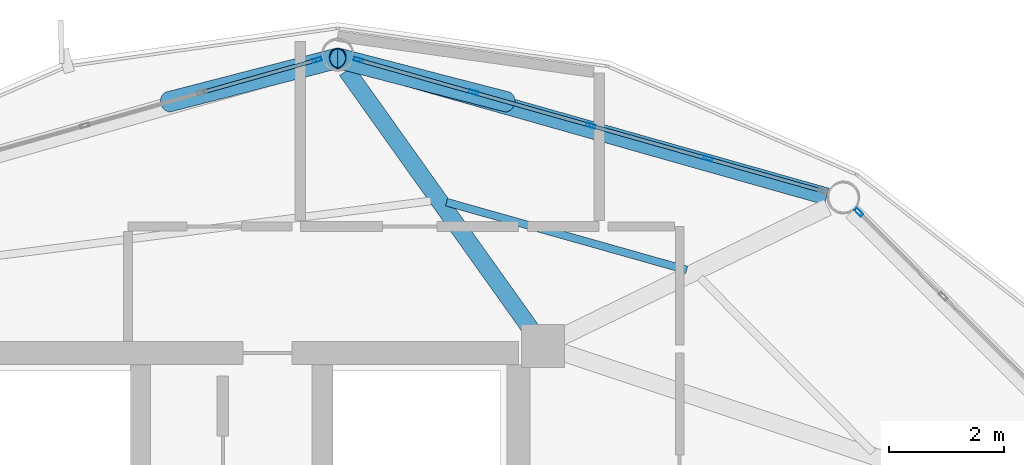
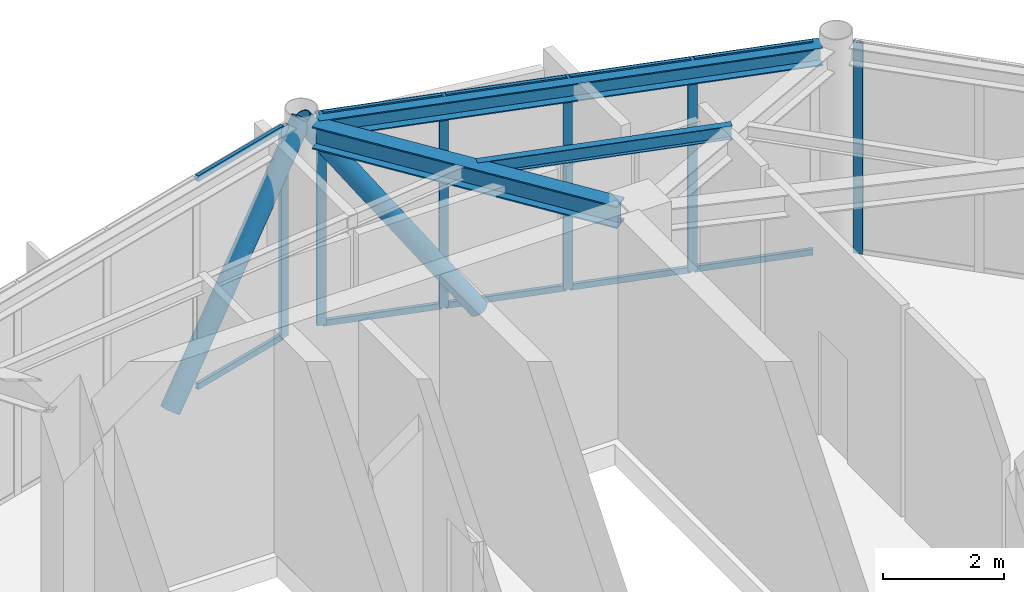
# One storey, part 18 of 26: 18 members, 3 beams, 3 elements without a shape of their own.
"""IFC4 building model written with IfcOpenShell, lengths in metres."""

from ifc_helpers import new_model, si_unit, direction, frame, origin, origin_2d, place, context, subcontext, project, spatial, hollow_rectangle, hollow_circle, i_section, extrude, material, layer, layer_set, material_profile, profile_set, type_object, element, aggregate, save


model = new_model("IFC4")

# Units and contexts
model_context = context("Model", 3, precision=1e-05, world=origin(), true_north=direction((0.0, 1.0)))
body_context = subcontext(model_context, "Body", "Model", "MODEL_VIEW")
ifc_project = project(units=[si_unit("LENGTHUNIT", "METRE"), si_unit("AREAUNIT", "SQUARE_METRE"), si_unit("VOLUMEUNIT", "CUBIC_METRE"), si_unit("PLANEANGLEUNIT", "RADIAN"), si_unit("MASSUNIT", "GRAM", prefix="KILO")], contexts=[model_context])

# Site, building, storey
site_placement = place(None, origin())
site = spatial("IfcSite", under=ifc_project, at=site_placement, CompositionType="ELEMENT")
building_placement = place(site_placement, origin())
building = spatial("IfcBuilding", under=site, at=building_placement, Name="Varnakorn Sky Granary", CompositionType="ELEMENT")
storey_placement = place(building_placement, frame((0.0, 0.0, 289.5)))
storey = spatial("IfcBuildingStorey", under=building, at=storey_placement, Name="L74", CompositionType="ELEMENT", Elevation=289.5)

# Beams
ifc_material_1 = material(Name="Steel S355JR", Category="steel")
ifc_material_profile_1 = material_profile(ifc_material_1, i_section(OverallWidth=0.300048828125, OverallDepth=0.449951171875, WebThickness=0.013916015625, FlangeThickness=0.02587890625, at=origin_2d()), Name="HE 450 B")
ifc_profile_set_1 = profile_set([ifc_material_profile_1], Name="Steel S355JR")
beam_type_1 = type_object("IfcBeamType", Name="BM-RAD-Z5", PredefinedType="BEAM", material=ifc_profile_set_1)
beam_1_placement = place(storey_placement, frame((8.214111328125, 12.9091796875, 4.034912109375), z_axis=(-0.580432129102, 0.814308629149, 0.0), x_axis=(-0.814308629149, -0.580432129102, 0.0)))
element("IfcBeam", 1, at=beam_1_placement, inside=storey, type_object=beam_type_1, Name="Radial Floor Girder RG04 L74", PredefinedType="BEAM", context=body_context, shape_type="SweptSolid", body=[
    extrude(i_section(OverallWidth=0.300048828125, OverallDepth=0.449951171875, WebThickness=0.013916015625, FlangeThickness=0.02587890625, at=origin_2d()), origin(), (0.0, 0.0, 1.0), 5.531494140625),
])
ifc_material_profile_2 = material_profile(ifc_material_1, i_section(OverallWidth=0.135009765625, OverallDepth=0.27001953125, WebThickness=0.006591796875, FlangeThickness=0.01025390625, at=origin_2d()), Name="IPE 270")
ifc_profile_set_2 = profile_set([ifc_material_profile_2], Name="Steel S355JR")
beam_type_2 = type_object("IfcBeamType", Name="BM-SEC-Z5", PredefinedType="BEAM", material=ifc_profile_set_2)
beam_2_placement = place(storey_placement, frame((10.923095703125, 13.943115234375, 4.125), z_axis=(-0.962372060934, 0.271735195243, 0.0), x_axis=(-0.271735195243, -0.962372060934, 0.0)))
element("IfcBeam", 2, at=beam_2_placement, inside=storey, type_object=beam_type_2, Name="Secondary Floor Chord Beam MSB03 L74", PredefinedType="BEAM", context=body_context, shape_type="SweptSolid", body=[
    extrude(i_section(OverallWidth=0.135009765625, OverallDepth=0.27001953125, WebThickness=0.006591796875, FlangeThickness=0.01025390625, at=origin_2d()), origin(), (0.0, 0.0, 1.0), 4.343017578125),
])
ifc_material_profile_3 = material_profile(ifc_material_1, i_section(OverallWidth=0.300048828125, OverallDepth=0.360107421875, WebThickness=0.012451171875, FlangeThickness=0.0224609375, at=origin_2d()), Name="HE 360 B")
ifc_profile_set_3 = profile_set([ifc_material_profile_3], Name="Steel S355JR")
beam_type_3 = type_object("IfcBeamType", Name="BM-SPD-Z5", PredefinedType="SPANDREL", material=ifc_profile_set_3)
beam_3_placement = place(storey_placement, frame((13.360107421875, 15.22216796875, 4.080078125), z_axis=(-0.962260332488, 0.272130579908, 0.0), x_axis=(-0.272130579908, -0.962260332488, 0.0)))
element("IfcBeam", 3, at=beam_3_placement, inside=storey, type_object=beam_type_3, Name="Perimeter Spandrel Ring Beam RB03 L74", PredefinedType="SPANDREL", context=body_context, shape_type="SweptSolid", body=[
    extrude(i_section(OverallWidth=0.300048828125, OverallDepth=0.360107421875, WebThickness=0.012451171875, FlangeThickness=0.0224609375, at=origin_2d()), origin(), (0.0, 0.0, 1.0), 8.579345703125),
])

# Curtain wall, member
ifc_material_2 = material(Name="Anodised Bronze Aluminium Alloy 6063-T6", Category="aluminium")
ifc_layer = layer(ifc_material_2, 0.159912109375, Name="Anodised Bronze Aluminium Alloy 6063-T6")
ifc_layer_set = layer_set([ifc_layer], Name="Anodised Bronze Aluminium Alloy 6063-T6")
curtain_wall_type = type_object("IfcCurtainWallType", Name="CW-OFF-1", PredefinedType="USERDEFINED", material=ifc_layer_set)
curtain_wall_1_placement = place(storey_placement, origin())
curtain_wall_1 = element("IfcCurtainWall", 4, at=curtain_wall_1_placement, inside=storey, type_object=curtain_wall_type, Name="Unitised Curtain Wall CW6 CW-L74-B02", ObjectType="CURTAIN WALL", PredefinedType="USERDEFINED")
ifc_material_profile_4 = material_profile(ifc_material_2, hollow_rectangle(XDim=0.06494140625, YDim=0.159912109375, WallThickness=0.00341796875, at=origin_2d()), Name="ALU MULL 65x160")
ifc_profile_set_4 = profile_set([ifc_material_profile_4], Name="Anodised Bronze Aluminium Alloy 6063-T6")
member_type_1 = type_object("IfcMemberType", Name="CW-OFF-1-MULL", PredefinedType="MULLION", material=ifc_profile_set_4)
member_1_placement = place(storey_placement, frame((13.9208984375, 14.948974609375, 0.0), z_axis=(0.0, 0.0, 1.0), x_axis=(0.706103251086, 0.708108889088, 0.0)))
member_1 = element("IfcMember", 5, at=member_1_placement, type_object=member_type_1, Name="CW6 mullion 1", PredefinedType="MULLION", context=body_context, shape_type="SweptSolid", body=[
    extrude(hollow_rectangle(XDim=0.06494140625, YDim=0.159912109375, WallThickness=0.00341796875, at=origin_2d()), origin(), (0.0, 0.0, 1.0), 4.260009765625),
])
aggregate(curtain_wall_1, [member_1])

# Curtain wall, members
curtain_wall_2_placement = place(storey_placement, origin())
curtain_wall_2 = element("IfcCurtainWall", 6, at=curtain_wall_2_placement, inside=storey, type_object=curtain_wall_type, Name="Unitised Curtain Wall CW6 CW-L74-B03", ObjectType="CURTAIN WALL", PredefinedType="USERDEFINED")
member_2_placement = place(storey_placement, frame((5.2080078125, 17.598876953125, 0.0), z_axis=(0.0, 0.0, 1.0), x_axis=(0.271878363446, 0.962331624488, 0.0)))
member_2 = element("IfcMember", 7, at=member_2_placement, type_object=member_type_1, Name="CW6 mullion 1", PredefinedType="MULLION", context=body_context, shape_type="SweptSolid", body=[
    extrude(hollow_rectangle(XDim=0.06494140625, YDim=0.159912109375, WallThickness=0.00341796875, at=origin_2d()), origin(), (0.0, 0.0, 1.0), 4.260009765625),
])
member_3_placement = place(storey_placement, frame((7.21533203125, 17.03173828125, 0.0), z_axis=(0.0, 0.0, 1.0), x_axis=(0.271878363446, 0.962331624488, 0.0)))
member_3 = element("IfcMember", 8, at=member_3_placement, type_object=member_type_1, Name="CW6 mullion 2", PredefinedType="MULLION", context=body_context, shape_type="SweptSolid", body=[
    extrude(hollow_rectangle(XDim=0.06494140625, YDim=0.159912109375, WallThickness=0.00341796875, at=origin_2d()), origin(), (0.0, 0.0, 1.0), 4.260009765625),
])
member_4_placement = place(storey_placement, frame((9.253662109375, 16.455810546875, 0.0), z_axis=(0.0, 0.0, 1.0), x_axis=(0.271878363446, 0.962331624488, 0.0)))
member_4 = element("IfcMember", 9, at=member_4_placement, type_object=member_type_1, Name="CW6 mullion 3", PredefinedType="MULLION", context=body_context, shape_type="SweptSolid", body=[
    extrude(hollow_rectangle(XDim=0.06494140625, YDim=0.159912109375, WallThickness=0.00341796875, at=origin_2d()), origin(), (0.0, 0.0, 1.0), 4.260009765625),
])
member_5_placement = place(storey_placement, frame((11.292236328125, 15.8798828125, 0.0), z_axis=(0.0, 0.0, 1.0), x_axis=(0.271878363446, 0.962331624488, 0.0)))
member_5 = element("IfcMember", 10, at=member_5_placement, type_object=member_type_1, Name="CW6 mullion 4", PredefinedType="MULLION", context=body_context, shape_type="SweptSolid", body=[
    extrude(hollow_rectangle(XDim=0.06494140625, YDim=0.159912109375, WallThickness=0.00341796875, at=origin_2d()), origin(), (0.0, 0.0, 1.0), 4.260009765625),
])

# Curtain wall, member
curtain_wall_3_placement = place(storey_placement, origin())
curtain_wall_3 = element("IfcCurtainWall", 11, at=curtain_wall_3_placement, inside=storey, type_object=curtain_wall_type, Name="Unitised Curtain Wall CW6 CW-L74-B04", ObjectType="CURTAIN WALL", PredefinedType="USERDEFINED")
member_6_placement = place(storey_placement, frame((4.491943359375, 17.598876953125, 0.0), z_axis=(0.0, 0.0, 1.0), x_axis=(-0.271878363446, 0.962331624488, 0.0)))
member_6 = element("IfcMember", 12, at=member_6_placement, type_object=member_type_1, Name="CW6 mullion 5", PredefinedType="MULLION", context=body_context, shape_type="SweptSolid", body=[
    extrude(hollow_rectangle(XDim=0.06494140625, YDim=0.159912109375, WallThickness=0.00341796875, at=origin_2d()), origin(), (0.0, 0.0, 1.0), 4.260009765625),
])

# Member
ifc_material_profile_5 = material_profile(ifc_material_2, hollow_rectangle(XDim=0.06494140625, YDim=0.1201171875, WallThickness=0.00341796875, at=origin_2d()), Name="ALU TRAN 65x120")
ifc_profile_set_5 = profile_set([ifc_material_profile_5], Name="Anodised Bronze Aluminium Alloy 6063-T6")
member_type_2 = type_object("IfcMemberType", Name="CW-OFF-1-TRAN", PredefinedType="USERDEFINED", material=ifc_profile_set_5)
member_7_placement = place(storey_placement, frame((5.2392578125, 17.590087890625, 0.032470703125), z_axis=(0.962308715742, -0.271959437431, 0.0), x_axis=(0.271959437431, 0.962308715742, 0.0)))
member_7 = element("IfcMember", 13, at=member_7_placement, type_object=member_type_2, Name="CW6 transom 1.1", ObjectType="TRANSOM", PredefinedType="USERDEFINED", context=body_context, shape_type="SweptSolid", body=[
    extrude(hollow_rectangle(XDim=0.06494140625, YDim=0.1201171875, WallThickness=0.00341796875, at=origin_2d()), origin(), (0.0, 0.0, 1.0), 2.020751953125),
])

member_8_placement = place(storey_placement, frame((5.2392578125, 17.590087890625, 4.2275390625), z_axis=(0.962308715742, -0.271959437431, 0.0), x_axis=(0.271959437431, 0.962308715742, 0.0)))
member_8 = element("IfcMember", 14, at=member_8_placement, type_object=member_type_2, Name="CW6 transom 1.2", ObjectType="TRANSOM", PredefinedType="USERDEFINED", context=body_context, shape_type="SweptSolid", body=[
    extrude(hollow_rectangle(XDim=0.06494140625, YDim=0.1201171875, WallThickness=0.00341796875, at=origin_2d()), origin(), (0.0, 0.0, 1.0), 2.020751953125),
])

member_9_placement = place(storey_placement, frame((7.24658203125, 17.02294921875, 0.032470703125), z_axis=(0.962314138425, -0.271940248928, 0.0), x_axis=(0.271940248928, 0.962314138425, 0.0)))
member_9 = element("IfcMember", 15, at=member_9_placement, type_object=member_type_2, Name="CW6 transom 2.1", ObjectType="TRANSOM", PredefinedType="USERDEFINED", context=body_context, shape_type="SweptSolid", body=[
    extrude(hollow_rectangle(XDim=0.06494140625, YDim=0.1201171875, WallThickness=0.00341796875, at=origin_2d()), origin(), (0.0, 0.0, 1.0), 2.05322265625),
])

member_10_placement = place(storey_placement, frame((7.24658203125, 17.02294921875, 4.2275390625), z_axis=(0.962314138425, -0.271940248928, 0.0), x_axis=(0.271940248928, 0.962314138425, 0.0)))
member_10 = element("IfcMember", 16, at=member_10_placement, type_object=member_type_2, Name="CW6 transom 2.2", ObjectType="TRANSOM", PredefinedType="USERDEFINED", context=body_context, shape_type="SweptSolid", body=[
    extrude(hollow_rectangle(XDim=0.06494140625, YDim=0.1201171875, WallThickness=0.00341796875, at=origin_2d()), origin(), (0.0, 0.0, 1.0), 2.05322265625),
])

member_11_placement = place(storey_placement, frame((9.284912109375, 16.447021484375, 0.032470703125), z_axis=(0.962322930265, -0.271909135349, 0.0), x_axis=(0.271909135349, 0.962322930265, 0.0)))
member_11 = element("IfcMember", 17, at=member_11_placement, type_object=member_type_2, Name="CW6 transom 3.1", ObjectType="TRANSOM", PredefinedType="USERDEFINED", context=body_context, shape_type="SweptSolid", body=[
    extrude(hollow_rectangle(XDim=0.06494140625, YDim=0.1201171875, WallThickness=0.00341796875, at=origin_2d()), origin(), (0.0, 0.0, 1.0), 2.053466796875),
])

member_12_placement = place(storey_placement, frame((9.284912109375, 16.447021484375, 4.2275390625), z_axis=(0.962322930265, -0.271909135349, 0.0), x_axis=(0.271909135349, 0.962322930265, 0.0)))
member_12 = element("IfcMember", 18, at=member_12_placement, type_object=member_type_2, Name="CW6 transom 3.2", ObjectType="TRANSOM", PredefinedType="USERDEFINED", context=body_context, shape_type="SweptSolid", body=[
    extrude(hollow_rectangle(XDim=0.06494140625, YDim=0.1201171875, WallThickness=0.00341796875, at=origin_2d()), origin(), (0.0, 0.0, 1.0), 2.053466796875),
])

member_13_placement = place(storey_placement, frame((11.323486328125, 15.87109375, 0.032470703125), z_axis=(0.962349256464, -0.271815946152, 0.0), x_axis=(0.271815946152, 0.962349256464, 0.0)))
member_13 = element("IfcMember", 19, at=member_13_placement, type_object=member_type_2, Name="CW6 transom 4.1", ObjectType="TRANSOM", PredefinedType="USERDEFINED", context=body_context, shape_type="SweptSolid", body=[
    extrude(hollow_rectangle(XDim=0.06494140625, YDim=0.1201171875, WallThickness=0.00341796875, at=origin_2d()), origin(), (0.0, 0.0, 1.0), 2.02099609375),
])

member_14_placement = place(storey_placement, frame((11.323486328125, 15.87109375, 4.2275390625), z_axis=(0.962349256464, -0.271815946152, 0.0), x_axis=(0.271815946152, 0.962349256464, 0.0)))
member_14 = element("IfcMember", 20, at=member_14_placement, type_object=member_type_2, Name="CW6 transom 4.2", ObjectType="TRANSOM", PredefinedType="USERDEFINED", context=body_context, shape_type="SweptSolid", body=[
    extrude(hollow_rectangle(XDim=0.06494140625, YDim=0.1201171875, WallThickness=0.00341796875, at=origin_2d()), origin(), (0.0, 0.0, 1.0), 2.02099609375),
])

aggregate(curtain_wall_2, [member_2, member_3, member_4, member_5, member_7, member_8, member_9, member_10, member_11, member_12, member_13, member_14])

member_15_placement = place(storey_placement, frame((2.51611328125, 17.04052734375, 0.032470703125), z_axis=(0.962308715742, 0.271959437431, 0.0), x_axis=(-0.271959437431, 0.962308715742, 0.0)))
member_15 = element("IfcMember", 21, at=member_15_placement, type_object=member_type_2, Name="CW6 transom 4.1", ObjectType="TRANSOM", PredefinedType="USERDEFINED", context=body_context, shape_type="SweptSolid", body=[
    extrude(hollow_rectangle(XDim=0.06494140625, YDim=0.1201171875, WallThickness=0.00341796875, at=origin_2d()), origin(), (0.0, 0.0, 1.0), 2.020751953125),
])

member_16_placement = place(storey_placement, frame((2.51611328125, 17.04052734375, 4.2275390625), z_axis=(0.962308715742, 0.271959437431, 0.0), x_axis=(-0.271959437431, 0.962308715742, 0.0)))
member_16 = element("IfcMember", 22, at=member_16_placement, type_object=member_type_2, Name="CW6 transom 4.2", ObjectType="TRANSOM", PredefinedType="USERDEFINED", context=body_context, shape_type="SweptSolid", body=[
    extrude(hollow_rectangle(XDim=0.06494140625, YDim=0.1201171875, WallThickness=0.00341796875, at=origin_2d()), origin(), (0.0, 0.0, 1.0), 2.020751953125),
])

aggregate(curtain_wall_3, [member_6, member_15, member_16])

# Members
ifc_material_3 = material(Name="Steel S460M", Category="steel")
ifc_material_profile_6 = material_profile(ifc_material_3, hollow_circle(Radius=0.177734375, WallThickness=0.01416015625, at=origin_2d()), Name="CHS 355.6x14")
ifc_profile_set_6 = profile_set([ifc_material_profile_6], Name="Steel S460M")
member_type_3 = type_object("IfcMemberType", Name="MB-DIAG-T5", PredefinedType="BRACE", material=ifc_profile_set_6)
for number, where, z_axis, x_axis, name in (
    (23, (7.785888671875, 16.87060546875, -0.1298828125), (-0.550261583413, 0.142129935807, 0.822806946475), (-0.2500874373, -0.968223256127, 0.0), "Perimeter CHS Diagrid Brace DG03 L74"),
    (24, (1.914306640625, 16.87060546875, -0.1298828125), (0.550261583413, 0.142129935807, 0.822806946475), (-0.2500874373, 0.968223256127, 0.0), "Perimeter CHS Diagrid Brace DG04 L74"),
):
    element("IfcMember", number, at=place(storey_placement, frame(where, z_axis=z_axis, x_axis=x_axis)), inside=storey, type_object=member_type_3, Name=name, PredefinedType="BRACE", context=body_context, shape_type="SweptSolid", body=[
        extrude(hollow_circle(Radius=0.177734375, WallThickness=0.01416015625, at=origin_2d()), origin(), (0.0, 0.0, 1.0), 5.335205078125),
    ])

save(model, "model.ifc")
